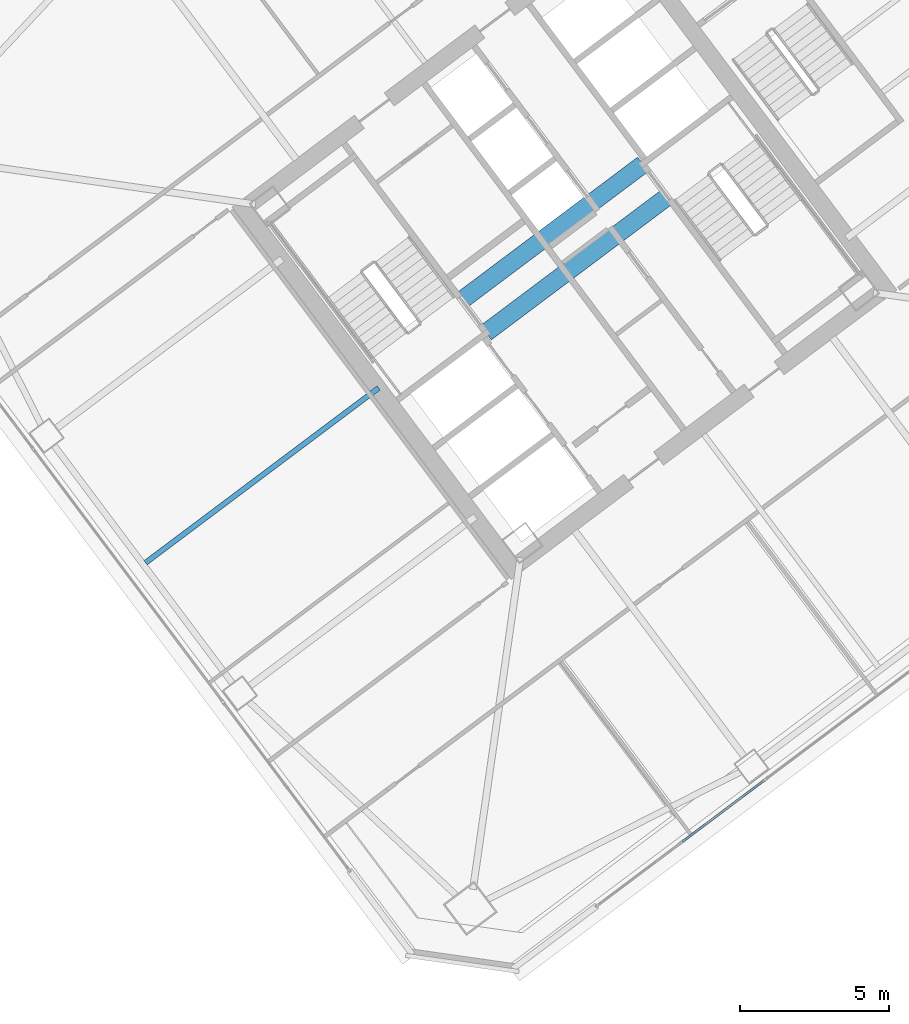
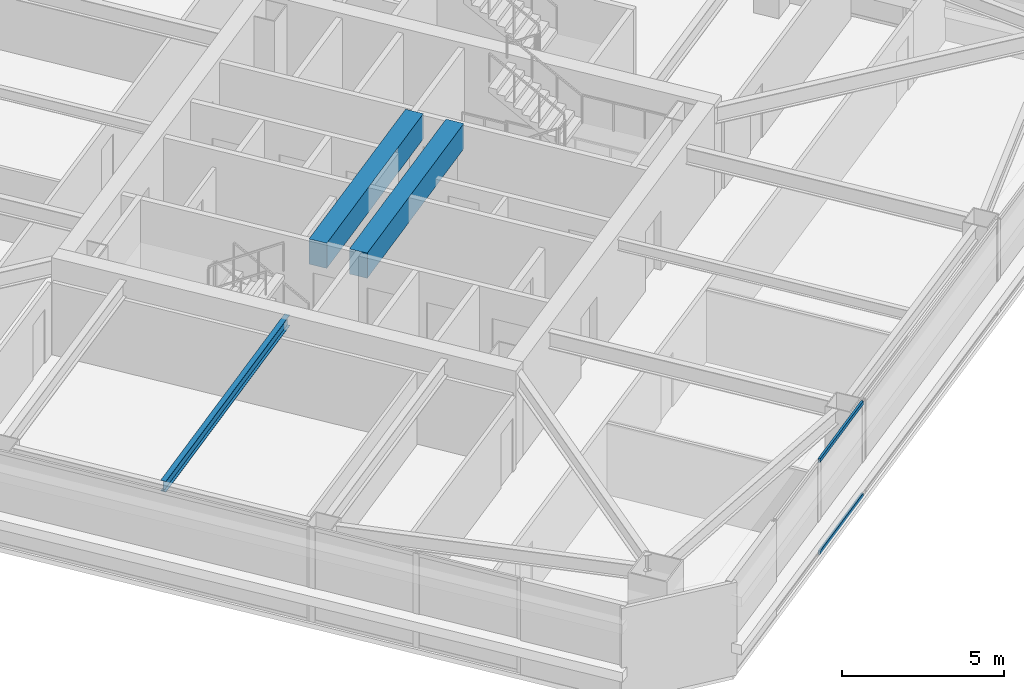
# One storey, part 22 of 44: 3 beams, 2 members, 1 element without a shape of its own.
"""IFC4 building model written with IfcOpenShell, lengths in metres."""

from ifc_helpers import new_model, si_unit, direction, frame, origin, origin_2d, place, context, subcontext, project, spatial, rectangle, hollow_rectangle, i_section, extrude, material, material_profile, profile_set, type_object, element, aggregate, save


model = new_model("IFC4")

# Units and contexts
model_context = context("Model", 3, precision=1e-05, world=origin(), true_north=direction((0.0, 1.0)))
body_context = subcontext(model_context, "Body", "Model", "MODEL_VIEW")
ifc_project = project(units=[si_unit("LENGTHUNIT", "METRE"), si_unit("AREAUNIT", "SQUARE_METRE"), si_unit("VOLUMEUNIT", "CUBIC_METRE"), si_unit("PLANEANGLEUNIT", "RADIAN"), si_unit("MASSUNIT", "GRAM", prefix="KILO")], contexts=[model_context])

# Site, building, storey
site_placement = place(None, origin())
site = spatial("IfcSite", under=ifc_project, at=site_placement, CompositionType="ELEMENT")
building_placement = place(site_placement, origin())
building = spatial("IfcBuilding", under=site, at=building_placement, Name="Tashvorn Skyway Center", CompositionType="ELEMENT")
storey_placement = place(building_placement, frame((0.0, 0.0, 149.89990234375)))
storey = spatial("IfcBuildingStorey", under=building, at=storey_placement, Name="L40", CompositionType="ELEMENT", Elevation=149.89990234375)

# Beams
ifc_material_1 = material(Name="Steel ASTM A992 Grade 50", Category="steel")
ifc_material_profile_1 = material_profile(ifc_material_1, i_section(OverallWidth=0.177978515625, OverallDepth=0.406005859375, WebThickness=0.0078125, FlangeThickness=0.0126953125, at=origin_2d()), Name="W16X40")
ifc_profile_set_1 = profile_set([ifc_material_profile_1], Name="Steel ASTM A992 Grade 50")
beam_type_1 = type_object("IfcBeamType", Name="BM-JOIST-W16X40", PredefinedType="JOIST", material=ifc_profile_set_1)
beam_placement = place(storey_placement, frame((107.76806640625, 27.325927734375, 3.1669921875), z_axis=(-0.800006001881, -0.599991997409, 0.0), x_axis=(0.599991997409, -0.800006001881, 0.0)))
element("IfcBeam", 1, at=beam_placement, inside=storey, type_object=beam_type_1, Name="Tower 2 L40 Secondary Composite Joist JW", PredefinedType="JOIST", context=body_context, shape_type="SweptSolid", body=[
    extrude(i_section(OverallWidth=0.177978515625, OverallDepth=0.406005859375, WebThickness=0.0078125, FlangeThickness=0.0126953125, at=origin_2d()), origin(), (0.0, 0.0, 1.0), 9.762451171875),
])
ifc_material_2 = material(Name="Concrete C60/75", Category="concrete")
ifc_material_profile_2 = material_profile(ifc_material_2, rectangle(XDim=0.60009765625, YDim=0.949951171875, at=origin_2d()), Name="RCB600x950")
ifc_profile_set_2 = profile_set([ifc_material_profile_2], Name="Concrete C60/75")
beam_type_2 = type_object("IfcBeamType", Name="BM-LINTEL-RCB600x950", PredefinedType="LINTEL", material=ifc_profile_set_2)
for number, where, z_axis, x_axis, name in (
    (2, (110.552001953125, 30.263916015625, 2.89501953125), (0.8, 0.6, 0.0), (-0.6, 0.8, 0.0), "Tower 2 L40 Core Coupling Beam CN"),
    (3, (111.367919921875, 29.176025390625, 2.89501953125), (0.8, 0.6, 0.0), (-0.6, 0.8, 0.0), "Tower 2 L40 Core Coupling Beam CS"),
):
    element("IfcBeam", number, at=place(storey_placement, frame(where, z_axis=z_axis, x_axis=x_axis)), inside=storey, type_object=beam_type_2, Name=name, PredefinedType="LINTEL", context=body_context, shape_type="SweptSolid", body=[
        extrude(rectangle(XDim=0.60009765625, YDim=0.949951171875, at=origin_2d()), origin(), (0.0, 0.0, 1.0), 7.60009765625),
    ])

# Curtain wall, members
ifc_material_3 = material(Name="Thermally broken bronze-anodized aluminium 6063-T6", Category="aluminium")
curtain_wall_type = type_object("IfcCurtainWallType", Name="CW-CW-Z3", PredefinedType="NOTDEFINED", material=ifc_material_3)
curtain_wall_placement = place(storey_placement, origin())
curtain_wall = element("IfcCurtainWall", 4, at=curtain_wall_placement, inside=storey, type_object=curtain_wall_type, Name="Tower 2 L40 South Unitised Curtain Wall Glazing Group 3", PredefinedType="NOTDEFINED")
ifc_material_profile_3 = material_profile(ifc_material_3, hollow_rectangle(XDim=0.074951171875, YDim=0.139892578125, WallThickness=0.004150390625, at=origin_2d()), Name="ALU-TRAN-75x140")
ifc_profile_set_3 = profile_set([ifc_material_profile_3], Name="Thermally broken bronze-anodized aluminium 6063-T6")
member_type = type_object("IfcMemberType", Name="CWT-CW-Z3", PredefinedType="USERDEFINED", material=ifc_profile_set_3)
member_1_placement = place(storey_placement, frame((120.67333984375, 14.155029296875, 0.03759765625), z_axis=(-0.800008575267, -0.59998856614, 0.0), x_axis=(0.59998856614, -0.800008575267, 0.0)))
member_1 = element("IfcMember", 5, at=member_1_placement, type_object=member_type, Name="CW-Z3 transom 1.1", ObjectType="TRANSOM", PredefinedType="USERDEFINED", context=body_context, shape_type="SweptSolid", body=[
    extrude(hollow_rectangle(XDim=0.074951171875, YDim=0.139892578125, WallThickness=0.004150390625, at=origin_2d()), origin(), (0.0, 0.0, 1.0), 3.41650390625),
])
member_2_placement = place(storey_placement, frame((120.67333984375, 14.155029296875, 3.5126953125), z_axis=(-0.800008575267, -0.59998856614, 0.0), x_axis=(0.59998856614, -0.800008575267, 0.0)))
member_2 = element("IfcMember", 6, at=member_2_placement, type_object=member_type, Name="CW-Z3 transom 1.2", ObjectType="TRANSOM", PredefinedType="USERDEFINED", context=body_context, shape_type="SweptSolid", body=[
    extrude(hollow_rectangle(XDim=0.074951171875, YDim=0.139892578125, WallThickness=0.004150390625, at=origin_2d()), origin(), (0.0, 0.0, 1.0), 3.41650390625),
])
aggregate(curtain_wall, [member_1, member_2])

save(model, "model.ifc")
